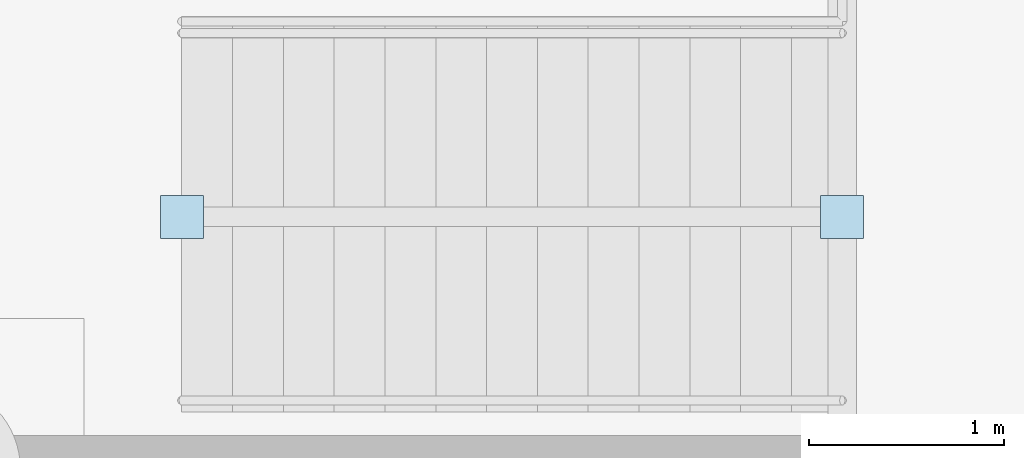
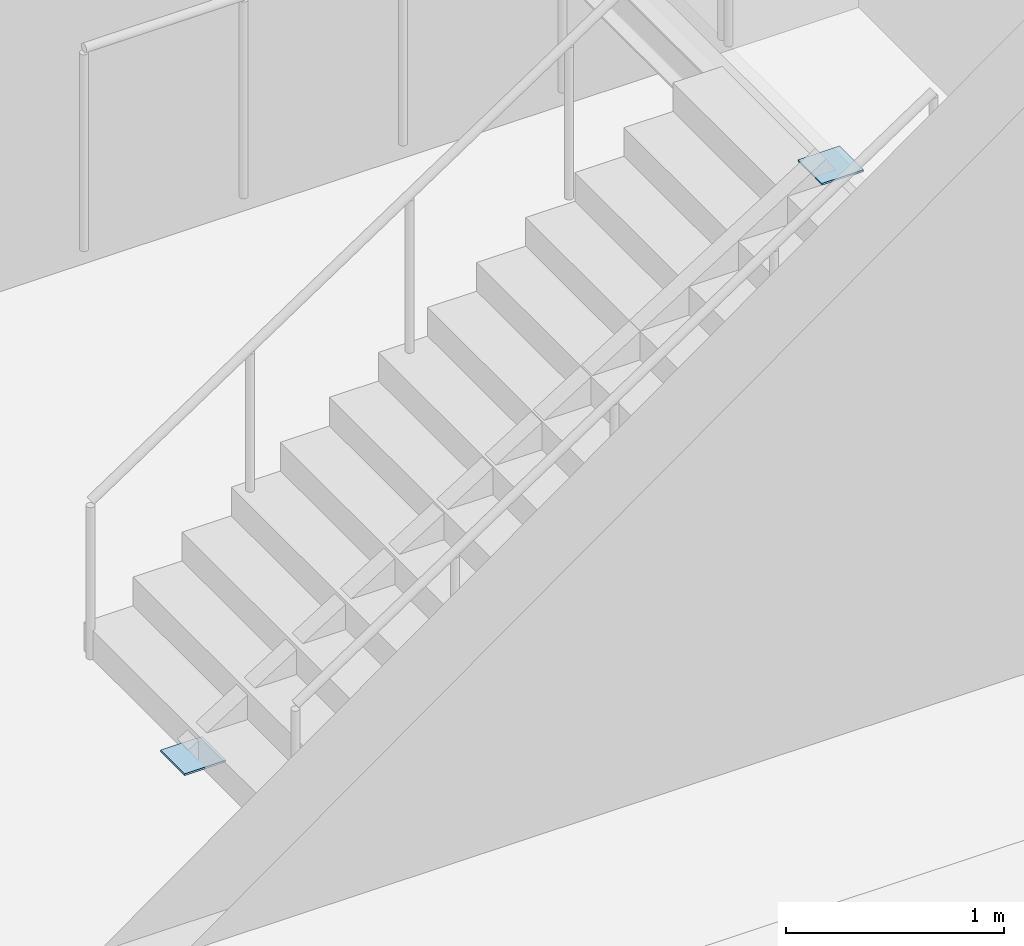
# One storey, part 64 of 93: 2 plates.
"""IFC4 building model written with IfcOpenShell, lengths in metres."""

from ifc_helpers import new_model, si_unit, direction, frame, origin, origin_2d, place, context, subcontext, project, spatial, rectangle, extrude, material, layer, layer_set, type_object, element, save


model = new_model("IFC4")

# Units and contexts
model_context = context("Model", 3, precision=1e-05, world=origin(), true_north=direction((0.0, 1.0)))
body_context = subcontext(model_context, "Body", "Model", "MODEL_VIEW")
ifc_project = project(units=[si_unit("LENGTHUNIT", "METRE"), si_unit("AREAUNIT", "SQUARE_METRE"), si_unit("VOLUMEUNIT", "CUBIC_METRE"), si_unit("PLANEANGLEUNIT", "RADIAN"), si_unit("MASSUNIT", "GRAM", prefix="KILO")], contexts=[model_context])

# Site, building, storey
site_placement = place(None, origin())
site = spatial("IfcSite", under=ifc_project, at=site_placement, CompositionType="ELEMENT")
building_placement = place(site_placement, origin())
building = spatial("IfcBuilding", under=site, at=building_placement, Name="Marnridge Secondary College", CompositionType="ELEMENT")
storey_placement = place(building_placement, origin())
storey = spatial("IfcBuildingStorey", under=building, at=storey_placement, Name="L00", CompositionType="ELEMENT", Elevation=0.0)

# Plates
ifc_material = material(Name="Structural steel plate Grade 350 (AS/NZS 3678, fy = 350 MPa <=12mm, 340 MPa 12-20mm, 330 MPa 20-50mm)", Category="steel")
ifc_layer = layer(ifc_material, 0.010009765625)
ifc_layer_set = layer_set([ifc_layer], Name="PT-CAP-INT")
plate_type = type_object("IfcPlateType", Name="PT-CAP-INT", PredefinedType="SHEET", material=ifc_layer_set)
for number, where, z_axis, x_axis, name in (
    (1, (83.45166015625, 62.469970703125, 0.01123046875), (0.0, 0.0, 1.0), (1.0, 0.0, 0.0), "Tube end cap STR-011-EC1"),
    (2, (86.828369140625, 62.469970703125, 2.1357421875), (0.0, 0.0, 1.0), (1.0, 0.0, 0.0), "Tube end cap STR-011-EC2"),
):
    element("IfcPlate", number, at=place(storey_placement, frame(where, z_axis=z_axis, x_axis=x_axis)), inside=storey, type_object=plate_type, Name=name, PredefinedType="SHEET", context=body_context, shape_type="SweptSolid", body=[
        extrude(rectangle(XDim=0.219970703125, YDim=0.219970703125, at=origin_2d()), origin(), (0.0, 0.0, 1.0), 0.010009765625),
    ])

save(model, "model.ifc")
